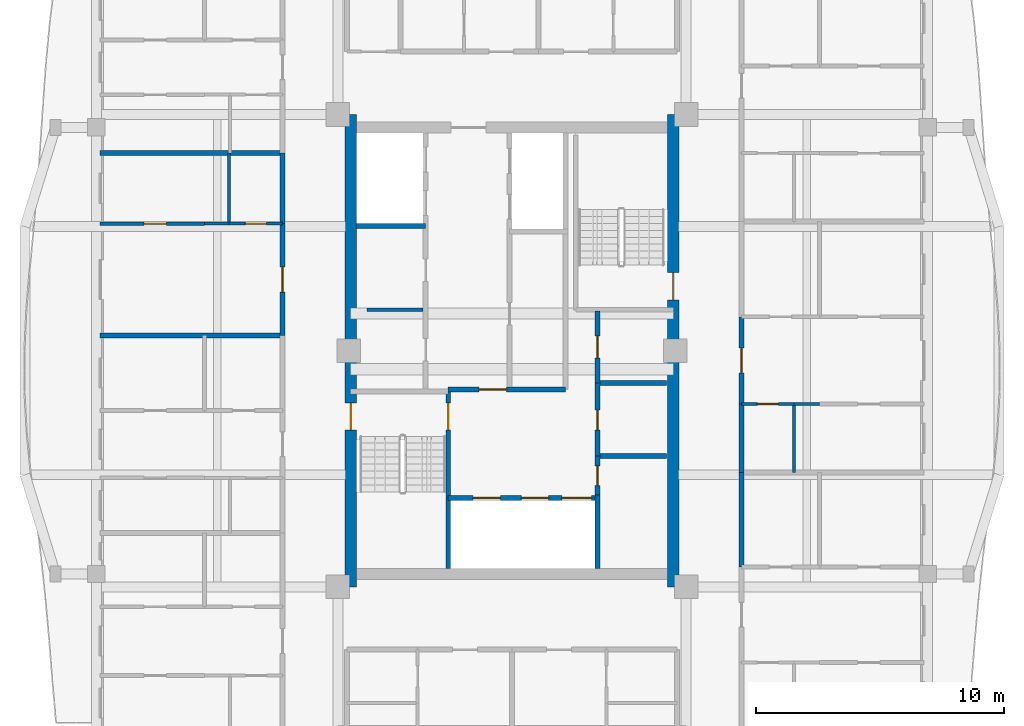
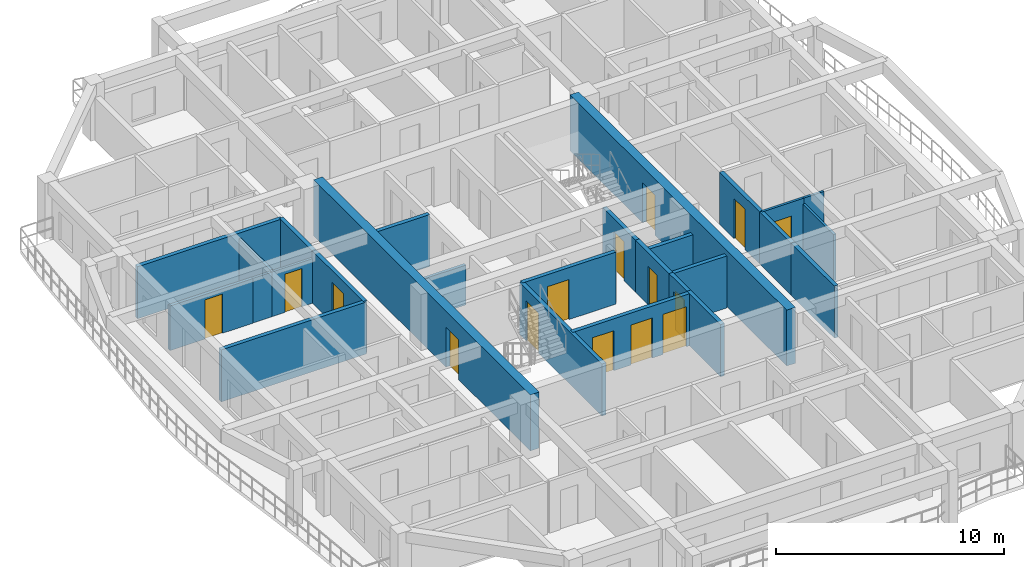
# One storey, part 4 of 14: 27 walls, 15 doors, 15 openings.
"""IFC4 building model written with IfcOpenShell, lengths in metres."""

from ifc_helpers import new_model, si_unit, direction, frame, frame_2d, origin, place, context, subcontext, project, spatial, rectangle, extrude, source, transform, mapped, material, layer, layer_set, type_object, element, fill, save


model = new_model("IFC4")

# Units and contexts
model_context = context("Model", 3, precision=1e-05, world=origin(), true_north=direction((0.0, 1.0)))
body_context = subcontext(model_context, "Body", "Model", "MODEL_VIEW")
ifc_project = project(units=[si_unit("LENGTHUNIT", "METRE"), si_unit("AREAUNIT", "SQUARE_METRE"), si_unit("VOLUMEUNIT", "CUBIC_METRE"), si_unit("PLANEANGLEUNIT", "RADIAN"), si_unit("MASSUNIT", "GRAM", prefix="KILO")], contexts=[model_context])

# Site, building, storey
site_placement = place(None, origin())
site = spatial("IfcSite", under=ifc_project, at=site_placement, CompositionType="ELEMENT")
building_placement = place(site_placement, origin())
building = spatial("IfcBuilding", under=site, at=building_placement, Name="Saelheon Loggia Tower", CompositionType="ELEMENT")
storey_placement = place(building_placement, frame((0.0, 0.0, 230.10009765625)))
storey = spatial("IfcBuildingStorey", under=building, at=storey_placement, Name="L71", CompositionType="ELEMENT", Elevation=230.10009765625)

# Wall, opening, door
ifc_material_1 = material(Name="Concrete C45/55", Category="concrete")
ifc_layer_1 = layer(ifc_material_1, 0.449951171875)
ifc_layer_set_1 = layer_set([ifc_layer_1], Name="Concrete C45/55")
wall_type_1 = type_object("IfcWallType", Name="Wall_CoreShear_450", PredefinedType="SHEAR", material=ifc_layer_set_1)
wall_1_placement = place(storey_placement, frame((31.5, 17.47998046875, 0.0), z_axis=(0.0, 0.0, 1.0), x_axis=(0.0, 1.0, 0.0)))
wall_1 = element("IfcWall", 1, at=wall_1_placement, inside=storey, type_object=wall_type_1, Name="L71 Core Shear Wall West", PredefinedType="SHEAR", context=body_context, shape_type="SweptSolid", body=[
    extrude(rectangle(XDim=19.0400390625, YDim=0.449951171875, at=frame_2d((9.52001953125, 0.0))), origin(), (0.0, 0.0, 1.0), 3.0),
])
opening_1_placement = place(wall_1_placement, frame((6.320068359375, 0.0, 0.0)))
opening_1 = element("IfcOpeningElement", 2, at=opening_1_placement, cuts=wall_1, Name="Opening D-FD2", PredefinedType="OPENING", context=body_context, shape_type="SweptSolid", body=[
    extrude(rectangle(XDim=1.10009765625, YDim=2.14990234375, at=frame_2d((0.550048828125, 1.074951171875))), frame((0.0, 0.237060546875, 0.0), z_axis=(0.0, -1.0, 0.0), x_axis=(1.0, 0.0, 0.0)), (0.0, 0.0, 1.0), 0.473876953125),
])
ifc_material_2 = material(Name="Galvanised Steel Fire Door", Category="steel")
door_type_1 = type_object("IfcDoorType", Name="Door_Fire_FD60_1100", OperationType="NOTDEFINED", PredefinedType="DOOR", material=ifc_material_2)
shared_shape_1 = source(origin(), body_context, "Body", "SweptSolid", [
    extrude(rectangle(XDim=1.10009765625, YDim=2.14990234375, at=frame_2d((0.550048828125, 1.074951171875))), frame((0.0, 0.02490234375, 0.0), z_axis=(0.0, -1.0, 0.0), x_axis=(1.0, 0.0, 0.0)), (0.0, 0.0, 1.0), 0.050048828125),
])
door_1_placement = place(opening_1_placement, origin())
door_1 = element("IfcDoor", 3, at=door_1_placement, inside=storey, type_object=door_type_1, Name="L71 Stair ST1 Corridor Door", OperationType="SINGLE_SWING_LEFT", OverallHeight=2.14990234375, OverallWidth=1.10009765625, PredefinedType="DOOR", context=body_context, shape_type="MappedRepresentation", body=[
    mapped(shared_shape_1, transform((0.0, 0.0, 0.0), scale=1.0)),
])
fill(opening_1, door_1)

wall_2_placement = place(storey_placement, frame((44.5, 17.47998046875, 0.0), z_axis=(0.0, 0.0, 1.0), x_axis=(0.0, 1.0, 0.0)))
wall_2 = element("IfcWall", 4, at=wall_2_placement, inside=storey, type_object=wall_type_1, Name="L71 Core Shear Wall East", PredefinedType="SHEAR", context=body_context, shape_type="SweptSolid", body=[
    extrude(rectangle(XDim=19.0400390625, YDim=0.449951171875, at=frame_2d((9.52001953125, 0.0))), origin(), (0.0, 0.0, 1.0), 3.0),
])
opening_2_placement = place(wall_2_placement, frame((12.670166015625, 0.0, 0.0), z_axis=(0.0, 0.0, 1.0), x_axis=(-1.0, 0.0, 0.0)))
opening_2 = element("IfcOpeningElement", 5, at=opening_2_placement, cuts=wall_2, Name="Opening D-FD2", PredefinedType="OPENING", context=body_context, shape_type="SweptSolid", body=[
    extrude(rectangle(XDim=1.10009765625, YDim=2.14990234375, at=frame_2d((0.550048828125, 1.074951171875))), frame((0.0, 0.237060546875, 0.0), z_axis=(0.0, -1.0, 0.0), x_axis=(1.0, 0.0, 0.0)), (0.0, 0.0, 1.0), 0.473876953125),
])
door_2_placement = place(opening_2_placement, origin())
door_2 = element("IfcDoor", 6, at=door_2_placement, inside=storey, type_object=door_type_1, Name="L71 Stair ST2 Corridor Door", OperationType="SINGLE_SWING_RIGHT", OverallHeight=2.14990234375, OverallWidth=1.10009765625, PredefinedType="DOOR", context=body_context, shape_type="MappedRepresentation", body=[
    mapped(shared_shape_1, transform((0.0, 0.0, 0.0), scale=1.0)),
])
fill(opening_2, door_2)

# Wall
ifc_material_3 = material(Name="Lightweight Autoclaved Aerated Concrete Block and Acoustic Gypsum", Category="concrete")
ifc_layer_2 = layer(ifc_material_3, 0.14990234375)
ifc_layer_set_2 = layer_set([ifc_layer_2], Name="Lightweight Autoclaved Aerated Concrete Block and Acoustic Gypsum")
wall_type_2 = type_object("IfcWallType", Name="Wall_Part_150", PredefinedType="PARTITIONING", material=ifc_layer_set_2)
wall_3_placement = place(storey_placement, frame((32.14990234375, 28.64990234375, 0.0), z_axis=(0.0, 0.0, 1.0), x_axis=(1.0, 0.0, 0.0)))
element("IfcWall", 7, at=wall_3_placement, inside=storey, type_object=wall_type_2, Name="L71 Freed Core Partition PL", PredefinedType="PARTITIONING", context=body_context, shape_type="SweptSolid", body=[
    extrude(rectangle(XDim=2.27001953125, YDim=0.14990234375, at=frame_2d((1.135009765625, 0.0))), origin(), (0.0, 0.0, 1.0), 2.139892578125),
])

# Wall, opening, door
wall_4_placement = place(storey_placement, frame((25.610107421875, 32.116455078125, 0.0), z_axis=(0.0, 0.0, 1.0), x_axis=(-1.0, 0.0, 0.0)))
wall_4 = element("IfcWall", 8, at=wall_4_placement, inside=storey, type_object=wall_type_2, Name="L71 W Partition U30", PredefinedType="PARTITIONING", context=body_context, shape_type="SweptSolid", body=[
    extrude(rectangle(XDim=4.210205078125, YDim=0.14990234375, at=frame_2d((2.10498046875, 0.0))), origin(), (0.0, 0.0, 1.0), 2.389892578125),
])
opening_3_placement = place(wall_4_placement, frame((1.537109375, 0.0, 0.0)))
opening_3 = element("IfcOpeningElement", 9, at=opening_3_placement, cuts=wall_4, Name="Opening D-IN2", PredefinedType="OPENING", context=body_context, shape_type="SweptSolid", body=[
    extrude(rectangle(XDim=0.89990234375, YDim=2.10009765625, at=frame_2d((0.449951171875, 1.050048828125))), frame((0.0, 0.0869140625, 0.0), z_axis=(0.0, -1.0, 0.0), x_axis=(1.0, 0.0, 0.0)), (0.0, 0.0, 1.0), 0.173828125),
])
ifc_material_4 = material(Name="Engineered Oak Flush Door", Category="timber")
door_type_2 = type_object("IfcDoorType", Name="Door_Int_900", OperationType="NOTDEFINED", PredefinedType="DOOR", material=ifc_material_4)
shared_shape_2 = source(origin(), body_context, "Body", "SweptSolid", [
    extrude(rectangle(XDim=0.89990234375, YDim=2.10009765625, at=frame_2d((0.449951171875, 1.050048828125))), frame((0.0, 0.02490234375, 0.0), z_axis=(0.0, -1.0, 0.0), x_axis=(1.0, 0.0, 0.0)), (0.0, 0.0, 1.0), 0.050048828125),
])
door_3_placement = place(opening_3_placement, origin())
door_3 = element("IfcDoor", 10, at=door_3_placement, inside=storey, type_object=door_type_2, Name="Unit U07 Kitchen Door", OperationType="SINGLE_SWING_RIGHT", OverallHeight=2.10009765625, OverallWidth=0.89990234375, PredefinedType="DOOR", context=body_context, shape_type="MappedRepresentation", body=[
    mapped(shared_shape_2, transform((0.0, 0.0, 0.0), scale=1.0)),
])
fill(opening_3, door_3)

# Wall
ifc_material_5 = material(Name="Double Acoustic Stud and Fireboard Partition", Category="gypsum")
ifc_layer_3 = layer(ifc_material_5, 0.199951171875)
ifc_layer_set_3 = layer_set([ifc_layer_3], Name="Double Acoustic Stud and Fireboard Partition")
wall_type_3 = type_object("IfcWallType", Name="Wall_Party_200", PredefinedType="PARTITIONING", material=ifc_layer_set_3)
wall_5_placement = place(storey_placement, frame((28.75, 27.61279296875, 0.0), z_axis=(0.0, 0.0, 1.0), x_axis=(-1.0, 0.0, 0.0)))
element("IfcWall", 11, at=wall_5_placement, inside=storey, type_object=wall_type_3, Name="L71 W Partition U24", PredefinedType="PARTITIONING", context=body_context, shape_type="SweptSolid", body=[
    extrude(rectangle(XDim=7.35009765625, YDim=0.199951171875, at=frame_2d((3.675048828125, 0.0))), origin(), (0.0, 0.0, 1.0), 2.789794921875),
])

# Wall, opening, door
wall_6_placement = place(storey_placement, frame((28.75, 27.61279296875, 0.0), z_axis=(0.0, 0.0, 1.0), x_axis=(0.0, 1.0, 0.0)))
wall_6 = element("IfcWall", 12, at=wall_6_placement, inside=storey, type_object=wall_type_3, Name="L71 W Partition V25", PredefinedType="PARTITIONING", context=body_context, shape_type="SweptSolid", body=[
    extrude(rectangle(XDim=4.503662109375, YDim=0.199951171875, at=frame_2d((2.251953125, 0.0))), origin(), (0.0, 0.0, 1.0), 2.789794921875),
])
opening_4_placement = place(wall_6_placement, frame((1.751708984375, 0.0, 0.0)))
opening_4 = element("IfcOpeningElement", 13, at=opening_4_placement, cuts=wall_6, Name="Opening D-FD1", PredefinedType="OPENING", context=body_context, shape_type="SweptSolid", body=[
    extrude(rectangle(XDim=1.0, YDim=2.14990234375, at=frame_2d((0.5, 1.074951171875))), frame((0.0, 0.112060546875, 0.0), z_axis=(0.0, -1.0, 0.0), x_axis=(1.0, 0.0, 0.0)), (0.0, 0.0, 1.0), 0.223876953125),
])
ifc_material_6 = material(Name="Fire-Rated Engineered Timber Entrance Door", Category="wood")
door_type_3 = type_object("IfcDoorType", Name="Door_Flat_FD30S", OperationType="NOTDEFINED", PredefinedType="DOOR", material=ifc_material_6)
shared_shape_3 = source(origin(), body_context, "Body", "SweptSolid", [
    extrude(rectangle(XDim=1.0, YDim=2.14990234375, at=frame_2d((0.5, 1.074951171875))), frame((0.0, 0.02490234375, 0.0), z_axis=(0.0, -1.0, 0.0), x_axis=(1.0, 0.0, 0.0)), (0.0, 0.0, 1.0), 0.050048828125),
])
door_4_placement = place(opening_4_placement, origin())
door_4 = element("IfcDoor", 14, at=door_4_placement, inside=storey, type_object=door_type_3, Name="Unit U07 Entrance Door", OperationType="SINGLE_SWING_RIGHT", OverallHeight=2.14990234375, OverallWidth=1.0, PredefinedType="DOOR", context=body_context, shape_type="MappedRepresentation", body=[
    mapped(shared_shape_3, transform((0.0, 0.0, 0.0), scale=1.0)),
])
fill(opening_4, door_4)

# Walls
wall_7_placement = place(storey_placement, frame((28.75, 32.116455078125, 0.0), z_axis=(0.0, 0.0, 1.0), x_axis=(0.0, 1.0, 0.0)))
element("IfcWall", 15, at=wall_7_placement, inside=storey, type_object=wall_type_3, Name="L71 W Partition V26", PredefinedType="PARTITIONING", context=body_context, shape_type="SweptSolid", body=[
    extrude(rectangle(XDim=2.849853515625, YDim=0.199951171875, at=frame_2d((1.4248046875, 0.0))), origin(), (0.0, 0.0, 1.0), 2.789794921875),
])
wall_8_placement = place(storey_placement, frame((28.75, 34.96630859375, 0.0), z_axis=(0.0, 0.0, 1.0), x_axis=(-1.0, 0.0, 0.0)))
element("IfcWall", 16, at=wall_8_placement, inside=storey, type_object=wall_type_3, Name="L71 W Partition U31", PredefinedType="PARTITIONING", context=body_context, shape_type="SweptSolid", body=[
    extrude(rectangle(XDim=7.35009765625, YDim=0.199951171875, at=frame_2d((3.675048828125, 0.0))), origin(), (0.0, 0.0, 1.0), 2.789794921875),
])
wall_9_placement = place(storey_placement, frame((47.25, 18.280029296875, 0.0), z_axis=(0.0, 0.0, 1.0), x_axis=(0.0, 1.0, 0.0)))
element("IfcWall", 17, at=wall_9_placement, inside=storey, type_object=wall_type_3, Name="L71 E Partition V05", PredefinedType="PARTITIONING", context=body_context, shape_type="SweptSolid", body=[
    extrude(rectangle(XDim=3.817626953125, YDim=0.199951171875, at=frame_2d((1.90869140625, 0.0))), origin(), (0.0, 0.0, 1.0), 2.789794921875),
])
wall_10_placement = place(storey_placement, frame((47.25, 22.09765625, 0.0), z_axis=(0.0, 0.0, 1.0), x_axis=(0.0, 1.0, 0.0)))
element("IfcWall", 18, at=wall_10_placement, inside=storey, type_object=wall_type_3, Name="L71 E Partition V14", PredefinedType="PARTITIONING", context=body_context, shape_type="SweptSolid", body=[
    extrude(rectangle(XDim=2.75, YDim=0.199951171875, at=frame_2d((1.375, 0.0))), origin(), (0.0, 0.0, 1.0), 2.789794921875),
])

# Wall, opening, door
wall_11_placement = place(storey_placement, frame((47.25, 24.84765625, 0.0), z_axis=(0.0, 0.0, 1.0), x_axis=(0.0, 1.0, 0.0)))
wall_11 = element("IfcWall", 19, at=wall_11_placement, inside=storey, type_object=wall_type_3, Name="L71 E Partition V15", PredefinedType="PARTITIONING", context=body_context, shape_type="SweptSolid", body=[
    extrude(rectangle(XDim=3.518798828125, YDim=0.199951171875, at=frame_2d((1.75927734375, 0.0))), origin(), (0.0, 0.0, 1.0), 2.789794921875),
])
opening_5_placement = place(wall_11_placement, frame((1.259521484375, 0.0, 0.0)))
opening_5 = element("IfcOpeningElement", 20, at=opening_5_placement, cuts=wall_11, Name="Opening D-FD1", PredefinedType="OPENING", context=body_context, shape_type="SweptSolid", body=[
    extrude(rectangle(XDim=1.0, YDim=2.14990234375, at=frame_2d((0.5, 1.074951171875))), frame((0.0, 0.112060546875, 0.0), z_axis=(0.0, -1.0, 0.0), x_axis=(1.0, 0.0, 0.0)), (0.0, 0.0, 1.0), 0.223876953125),
])
door_5_placement = place(opening_5_placement, origin())
door_5 = element("IfcDoor", 21, at=door_5_placement, inside=storey, type_object=door_type_3, Name="Unit U10 Entrance Door", OperationType="SINGLE_SWING_LEFT", OverallHeight=2.14990234375, OverallWidth=1.0, PredefinedType="DOOR", context=body_context, shape_type="MappedRepresentation", body=[
    mapped(shared_shape_3, transform((0.0, 0.0, 0.0), scale=1.0)),
])
fill(opening_5, door_5)

# Walls
ifc_material_7 = material(Name="Concrete C40/50", Category="concrete")
ifc_layer_4 = layer(ifc_material_7, 0.199951171875)
ifc_layer_set_4 = layer_set([ifc_layer_4], Name="Concrete C40/50")
wall_type_4 = type_object("IfcWallType", Name="Wall_Shaft_200", PredefinedType="PARTITIONING", material=ifc_layer_set_4)
wall_12_placement = place(storey_placement, frame((41.550048828125, 22.75, 0.0), z_axis=(0.0, 0.0, 1.0), x_axis=(1.0, 0.0, 0.0)))
element("IfcWall", 22, at=wall_12_placement, inside=storey, type_object=wall_type_4, Name="CW-BOH-L71-H1", PredefinedType="PARTITIONING", context=body_context, shape_type="SweptSolid", body=[
    extrude(rectangle(XDim=2.669921875, YDim=0.199951171875, at=frame_2d((1.3349609375, 0.0))), origin(), (0.0, 0.0, 1.0), 2.789794921875),
])
wall_13_placement = place(storey_placement, frame((41.550048828125, 25.699951171875, 0.0), z_axis=(0.0, 0.0, 1.0), x_axis=(1.0, 0.0, 0.0)))
element("IfcWall", 23, at=wall_13_placement, inside=storey, type_object=wall_type_4, Name="CW-BOH-L71-H2", PredefinedType="PARTITIONING", context=body_context, shape_type="SweptSolid", body=[
    extrude(rectangle(XDim=2.669921875, YDim=0.199951171875, at=frame_2d((1.3349609375, 0.0))), origin(), (0.0, 0.0, 1.0), 2.139892578125),
])
wall_14_placement = place(storey_placement, frame((41.449951171875, 18.219970703125, 0.0), z_axis=(0.0, 0.0, 1.0), x_axis=(0.0, 1.0, 0.0)))
element("IfcWall", 24, at=wall_14_placement, inside=storey, type_object=wall_type_4, Name="CW-INT-L71-BOH-W0", PredefinedType="PARTITIONING", context=body_context, shape_type="SweptSolid", body=[
    extrude(rectangle(XDim=2.9599609375, YDim=0.199951171875, at=frame_2d((1.47998046875, 0.0))), origin(), (0.0, 0.0, 1.0), 2.789794921875),
])

# Wall, opening, door
wall_15_placement = place(storey_placement, frame((41.449951171875, 21.179931640625, 0.0), z_axis=(0.0, 0.0, 1.0), x_axis=(0.0, 1.0, 0.0)))
wall_15 = element("IfcWall", 25, at=wall_15_placement, inside=storey, type_object=wall_type_4, Name="CW-INT-L71-BOH-W1", PredefinedType="PARTITIONING", context=body_context, shape_type="SweptSolid", body=[
    extrude(rectangle(XDim=1.570068359375, YDim=0.199951171875, at=frame_2d((0.78515625, 0.0))), origin(), (0.0, 0.0, 1.0), 2.789794921875),
])
opening_6_placement = place(wall_15_placement, frame((0.3798828125, 0.0, 0.0)))
opening_6 = element("IfcOpeningElement", 26, at=opening_6_placement, cuts=wall_15, Name="Opening D-ST1", PredefinedType="OPENING", context=body_context, shape_type="SweptSolid", body=[
    extrude(rectangle(XDim=0.800048828125, YDim=2.050048828125, at=frame_2d((0.39990234375, 1.02490234375))), frame((0.0, 0.112060546875, 0.0), z_axis=(0.0, -1.0, 0.0), x_axis=(1.0, 0.0, 0.0)), (0.0, 0.0, 1.0), 0.223876953125),
])
ifc_material_8 = material(Name="Powder-Coated Steel Store Door", Category="steel")
door_type_4 = type_object("IfcDoorType", Name="Door_Store_800", OperationType="NOTDEFINED", PredefinedType="DOOR", material=ifc_material_8)
shared_shape_4 = source(origin(), body_context, "Body", "SweptSolid", [
    extrude(rectangle(XDim=0.800048828125, YDim=2.050048828125, at=frame_2d((0.39990234375, 1.02490234375))), frame((0.0, 0.02490234375, 0.0), z_axis=(0.0, -1.0, 0.0), x_axis=(1.0, 0.0, 0.0)), (0.0, 0.0, 1.0), 0.050048828125),
])
door_6_placement = place(opening_6_placement, origin())
door_6 = element("IfcDoor", 27, at=door_6_placement, inside=storey, type_object=door_type_4, Name="L71 Cleaner Store Door", OperationType="SINGLE_SWING_LEFT", OverallHeight=2.050048828125, OverallWidth=0.800048828125, PredefinedType="DOOR", context=body_context, shape_type="MappedRepresentation", body=[
    mapped(shared_shape_4, transform((0.0, 0.0, 0.0), scale=1.0)),
])
fill(opening_6, door_6)

wall_16_placement = place(storey_placement, frame((41.449951171875, 22.75, 0.0), z_axis=(0.0, 0.0, 1.0), x_axis=(0.0, 1.0, 0.0)))
wall_16 = element("IfcWall", 28, at=wall_16_placement, inside=storey, type_object=wall_type_4, Name="CW-INT-L71-BOH-W2", PredefinedType="PARTITIONING", context=body_context, shape_type="SweptSolid", body=[
    extrude(rectangle(XDim=2.949951171875, YDim=0.199951171875, at=frame_2d((1.47509765625, 0.0))), origin(), (0.0, 0.0, 1.0), 2.789794921875),
])
opening_7_placement = place(wall_16_placement, frame((1.050048828125, 0.0, 0.0)))
opening_7 = element("IfcOpeningElement", 29, at=opening_7_placement, cuts=wall_16, Name="Opening D-ST1", PredefinedType="OPENING", context=body_context, shape_type="SweptSolid", body=[
    extrude(rectangle(XDim=0.800048828125, YDim=2.050048828125, at=frame_2d((0.39990234375, 1.02490234375))), frame((0.0, 0.112060546875, 0.0), z_axis=(0.0, -1.0, 0.0), x_axis=(1.0, 0.0, 0.0)), (0.0, 0.0, 1.0), 0.223876953125),
])
door_7_placement = place(opening_7_placement, origin())
door_7 = element("IfcDoor", 30, at=door_7_placement, inside=storey, type_object=door_type_4, Name="L71 Electrical Riser Door", OperationType="SINGLE_SWING_RIGHT", OverallHeight=2.050048828125, OverallWidth=0.800048828125, PredefinedType="DOOR", context=body_context, shape_type="MappedRepresentation", body=[
    mapped(shared_shape_4, transform((0.0, 0.0, 0.0), scale=1.0)),
])
fill(opening_7, door_7)

wall_17_placement = place(storey_placement, frame((41.449951171875, 25.699951171875, 0.0), z_axis=(0.0, 0.0, 1.0), x_axis=(0.0, 1.0, 0.0)))
wall_17 = element("IfcWall", 31, at=wall_17_placement, inside=storey, type_object=wall_type_4, Name="CW-INT-L71-BOH-W3", PredefinedType="PARTITIONING", context=body_context, shape_type="SweptSolid", body=[
    extrude(rectangle(XDim=2.900146484375, YDim=0.199951171875, at=frame_2d((1.4501953125, 0.0))), origin(), (0.0, 0.0, 1.0), 2.789794921875),
])
opening_8_placement = place(wall_17_placement, frame((1.0, 0.0, 0.0)))
opening_8 = element("IfcOpeningElement", 32, at=opening_8_placement, cuts=wall_17, Name="Opening D-RS1", PredefinedType="OPENING", context=body_context, shape_type="SweptSolid", body=[
    extrude(rectangle(XDim=0.89990234375, YDim=2.10009765625, at=frame_2d((0.449951171875, 1.050048828125))), frame((0.0, 0.112060546875, 0.0), z_axis=(0.0, -1.0, 0.0), x_axis=(1.0, 0.0, 0.0)), (0.0, 0.0, 1.0), 0.223876953125),
])
ifc_material_9 = material(Name="Galvanised Steel Riser Access Door", Category="steel")
door_type_5 = type_object("IfcDoorType", Name="Door_Riser_FD60", OperationType="NOTDEFINED", PredefinedType="DOOR", material=ifc_material_9)
door_8_placement = place(opening_8_placement, origin())
door_8 = element("IfcDoor", 33, at=door_8_placement, inside=storey, type_object=door_type_5, Name="L71 Floor IT Room Door", OperationType="SINGLE_SWING_LEFT", OverallHeight=2.10009765625, OverallWidth=0.89990234375, PredefinedType="DOOR", context=body_context, shape_type="MappedRepresentation", body=[
    mapped(shared_shape_2, transform((0.0, 0.0, 0.0), scale=1.0)),
])
fill(opening_8, door_8)

# Wall, openings, doors
wall_18_placement = place(storey_placement, frame((35.429931640625, 21.06005859375, 0.0), z_axis=(0.0, 0.0, 1.0), x_axis=(1.0, 0.0, 0.0)))
wall_18 = element("IfcWall", 34, at=wall_18_placement, inside=storey, type_object=wall_type_4, Name="L71 Firefighting Lift Shaft Front Wall", PredefinedType="PARTITIONING", context=body_context, shape_type="SweptSolid", body=[
    extrude(rectangle(XDim=6.02001953125, YDim=0.199951171875, at=frame_2d((3.010009765625, 0.0))), origin(), (0.0, 0.0, 1.0), 2.789794921875),
])
opening_9_placement = place(wall_18_placement, frame((1.0, 0.0, 0.0)))
opening_9 = element("IfcOpeningElement", 35, at=opening_9_placement, cuts=wall_18, Name="Opening LD2", PredefinedType="OPENING", context=body_context, shape_type="SweptSolid", body=[
    extrude(rectangle(XDim=1.10009765625, YDim=2.14990234375, at=frame_2d((0.550048828125, 1.074951171875))), frame((0.0, 0.112060546875, 0.0), z_axis=(0.0, -1.0, 0.0), x_axis=(1.0, 0.0, 0.0)), (0.0, 0.0, 1.0), 0.223876953125),
])
opening_10_placement = place(wall_18_placement, frame((2.949951171875, 0.0, 0.0)))
opening_10 = element("IfcOpeningElement", 36, at=opening_10_placement, cuts=wall_18, Name="Opening LD2", PredefinedType="OPENING", context=body_context, shape_type="SweptSolid", body=[
    extrude(rectangle(XDim=1.10009765625, YDim=2.14990234375, at=frame_2d((0.550048828125, 1.074951171875))), frame((0.0, 0.112060546875, 0.0), z_axis=(0.0, -1.0, 0.0), x_axis=(1.0, 0.0, 0.0)), (0.0, 0.0, 1.0), 0.223876953125),
])
opening_11_placement = place(wall_18_placement, frame((4.580078125, 0.0, 0.0)))
opening_11 = element("IfcOpeningElement", 37, at=opening_11_placement, cuts=wall_18, Name="Opening LD3", PredefinedType="OPENING", context=body_context, shape_type="SweptSolid", body=[
    extrude(rectangle(XDim=1.199951171875, YDim=2.14990234375, at=frame_2d((0.60009765625, 1.074951171875))), frame((0.0, 0.112060546875, 0.0), z_axis=(0.0, -1.0, 0.0), x_axis=(1.0, 0.0, 0.0)), (0.0, 0.0, 1.0), 0.223876953125),
])
ifc_material_10 = material(Name="Firefighting Stainless Steel 316 Landing Door", Category="steel")
door_type_6 = type_object("IfcDoorType", Name="Door_Lift_LD2", OperationType="DOUBLE_DOOR_SLIDING", PredefinedType="DOOR", material=ifc_material_10)
door_9_placement = place(opening_9_placement, origin())
door_9 = element("IfcDoor", 38, at=door_9_placement, inside=storey, type_object=door_type_6, Name="L71 FF1 Landing Door", OperationType="DOUBLE_DOOR_SLIDING", OverallHeight=2.14990234375, OverallWidth=1.10009765625, PredefinedType="DOOR", context=body_context, shape_type="MappedRepresentation", body=[
    mapped(shared_shape_1, transform((0.0, 0.0, 0.0), scale=1.0)),
])
fill(opening_9, door_9)
door_10_placement = place(opening_10_placement, origin())
door_10 = element("IfcDoor", 39, at=door_10_placement, inside=storey, type_object=door_type_6, Name="L71 FF2 Landing Door", OperationType="DOUBLE_DOOR_SLIDING", OverallHeight=2.14990234375, OverallWidth=1.10009765625, PredefinedType="DOOR", context=body_context, shape_type="MappedRepresentation", body=[
    mapped(shared_shape_1, transform((0.0, 0.0, 0.0), scale=1.0)),
])
fill(opening_10, door_10)
ifc_material_11 = material(Name="Stretcher Lift Stainless Steel 304 Landing Door", Category="steel")
door_type_7 = type_object("IfcDoorType", Name="Door_Lift_LD3", OperationType="DOUBLE_DOOR_SLIDING", PredefinedType="DOOR", material=ifc_material_11)
shared_shape_5 = source(origin(), body_context, "Body", "SweptSolid", [
    extrude(rectangle(XDim=1.199951171875, YDim=2.14990234375, at=frame_2d((0.60009765625, 1.074951171875))), frame((0.0, 0.02490234375, 0.0), z_axis=(0.0, -1.0, 0.0), x_axis=(1.0, 0.0, 0.0)), (0.0, 0.0, 1.0), 0.050048828125),
])
door_11_placement = place(opening_11_placement, origin())
door_11 = element("IfcDoor", 40, at=door_11_placement, inside=storey, type_object=door_type_7, Name="L71 SV1 Landing Door", OperationType="DOUBLE_DOOR_SLIDING", OverallHeight=2.14990234375, OverallWidth=1.199951171875, PredefinedType="DOOR", context=body_context, shape_type="MappedRepresentation", body=[
    mapped(shared_shape_5, transform((0.0, 0.0, 0.0), scale=1.0)),
])
fill(opening_11, door_11)

# Wall, opening, door
wall_19_placement = place(storey_placement, frame((35.429931640625, 25.43994140625, 0.0), z_axis=(0.0, 0.0, 1.0), x_axis=(1.0, 0.0, 0.0)))
wall_19 = element("IfcWall", 41, at=wall_19_placement, inside=storey, type_object=wall_type_4, Name="L71 Firefighting Lobby Compartment Wall", PredefinedType="PARTITIONING", context=body_context, shape_type="SweptSolid", body=[
    extrude(rectangle(XDim=4.719970703125, YDim=0.199951171875, at=frame_2d((2.35986328125, 0.0))), origin(), (0.0, 0.0, 1.0), 2.789794921875),
])
opening_12_placement = place(wall_19_placement, frame((1.25, 0.0, 0.0)))
opening_12 = element("IfcOpeningElement", 42, at=opening_12_placement, cuts=wall_19, Name="Opening D-FD2", PredefinedType="OPENING", context=body_context, shape_type="SweptSolid", body=[
    extrude(rectangle(XDim=1.10009765625, YDim=2.14990234375, at=frame_2d((0.550048828125, 1.074951171875))), frame((0.0, 0.112060546875, 0.0), z_axis=(0.0, -1.0, 0.0), x_axis=(1.0, 0.0, 0.0)), (0.0, 0.0, 1.0), 0.223876953125),
])
door_12_placement = place(opening_12_placement, origin())
door_12 = element("IfcDoor", 43, at=door_12_placement, inside=storey, type_object=door_type_1, Name="L71 Firefighting Lobby Door", OperationType="SINGLE_SWING_RIGHT", OverallHeight=2.14990234375, OverallWidth=1.10009765625, PredefinedType="DOOR", context=body_context, shape_type="MappedRepresentation", body=[
    mapped(shared_shape_1, transform((0.0, 0.0, 0.0), scale=1.0)),
])
fill(opening_12, door_12)

# Wall
wall_20_placement = place(storey_placement, frame((31.719970703125, 32.02001953125, 0.0), z_axis=(0.0, 0.0, 1.0), x_axis=(1.0, 0.0, 0.0)))
element("IfcWall", 44, at=wall_20_placement, inside=storey, type_object=wall_type_4, Name="L71 West High-Rise Shaft Divider", PredefinedType="PARTITIONING", context=body_context, shape_type="SweptSolid", body=[
    extrude(rectangle(XDim=2.800048828125, YDim=0.199951171875, at=frame_2d((1.39990234375, 0.0))), origin(), (0.0, 0.0, 1.0), 2.789794921875),
])

# Wall, opening, door
ifc_layer_5 = layer(ifc_material_1, 0.199951171875)
ifc_layer_set_5 = layer_set([ifc_layer_5], Name="Concrete C45/55")
wall_type_5 = type_object("IfcWallType", Name="Wall_StairShaft_RC200", PredefinedType="SOLIDWALL", material=ifc_layer_set_5)
wall_21_placement = place(storey_placement, frame((35.429931640625, 18.219970703125, 0.0), z_axis=(0.0, 0.0, 1.0), x_axis=(0.0, 1.0, 0.0)))
wall_21 = element("IfcWall", 45, at=wall_21_placement, inside=storey, type_object=wall_type_5, Name="L71 Stair ST1 Shaft Wall", PredefinedType="SOLIDWALL", context=body_context, shape_type="SweptSolid", body=[
    extrude(rectangle(XDim=7.219970703125, YDim=0.199951171875, at=frame_2d((3.60986328125, 0.0))), origin(), (0.0, 0.0, 1.0), 2.789794921875),
])
opening_13_placement = place(wall_21_placement, frame((6.68017578125, 0.0, 0.0), z_axis=(0.0, 0.0, 1.0), x_axis=(-1.0, 0.0, 0.0)))
opening_13 = element("IfcOpeningElement", 46, at=opening_13_placement, cuts=wall_21, Name="Opening D-FD2", PredefinedType="OPENING", context=body_context, shape_type="SweptSolid", body=[
    extrude(rectangle(XDim=1.10009765625, YDim=2.14990234375, at=frame_2d((0.550048828125, 1.074951171875))), frame((0.0, 0.112060546875, 0.0), z_axis=(0.0, -1.0, 0.0), x_axis=(1.0, 0.0, 0.0)), (0.0, 0.0, 1.0), 0.223876953125),
])
door_13_placement = place(opening_13_placement, origin())
door_13 = element("IfcDoor", 47, at=door_13_placement, inside=storey, type_object=door_type_1, Name="L71 Stair ST1 Lobby Door", OperationType="SINGLE_SWING_LEFT", OverallHeight=2.14990234375, OverallWidth=1.10009765625, PredefinedType="DOOR", context=body_context, shape_type="MappedRepresentation", body=[
    mapped(shared_shape_1, transform((0.0, 0.0, 0.0), scale=1.0)),
])
fill(opening_13, door_13)

ifc_material_12 = material(Name="Moisture-Resistant Cement Board Partition", Category="gypsum")
ifc_layer_6 = layer(ifc_material_12, 0.1201171875)
ifc_layer_set_6 = layer_set([ifc_layer_6], Name="Moisture-Resistant Cement Board Partition")
wall_type_6 = type_object("IfcWallType", Name="Wall_WetPart_120", PredefinedType="PARTITIONING", material=ifc_layer_set_6)
wall_22_placement = place(storey_placement, frame((28.75, 32.116455078125, 0.0), z_axis=(0.0, 0.0, 1.0), x_axis=(-1.0, 0.0, 0.0)))
wall_22 = element("IfcWall", 48, at=wall_22_placement, inside=storey, type_object=wall_type_6, Name="L71 W Partition U27", PredefinedType="PARTITIONING", context=body_context, shape_type="SweptSolid", body=[
    extrude(rectangle(XDim=2.14990234375, YDim=0.1201171875, at=frame_2d((1.074951171875, 0.0))), origin(), (0.0, 0.0, 1.0), 2.389892578125),
])
opening_14_placement = place(wall_22_placement, frame((0.64990234375, 0.0, 0.0)))
opening_14 = element("IfcOpeningElement", 49, at=opening_14_placement, cuts=wall_22, Name="Opening D-BT1", PredefinedType="OPENING", context=body_context, shape_type="SweptSolid", body=[
    extrude(rectangle(XDim=0.85009765625, YDim=2.050048828125, at=frame_2d((0.425048828125, 1.02490234375))), frame((0.0, 0.072021484375, 0.0), z_axis=(0.0, -1.0, 0.0), x_axis=(1.0, 0.0, 0.0)), (0.0, 0.0, 1.0), 0.14404296875),
])
ifc_material_13 = material(Name="Moisture-Resistant Laminate Timber Door", Category="wood")
door_type_8 = type_object("IfcDoorType", Name="Door_Bath_850", OperationType="NOTDEFINED", PredefinedType="DOOR", material=ifc_material_13)
shared_shape_6 = source(origin(), body_context, "Body", "SweptSolid", [
    extrude(rectangle(XDim=0.85009765625, YDim=2.050048828125, at=frame_2d((0.425048828125, 1.02490234375))), frame((0.0, 0.02490234375, 0.0), z_axis=(0.0, -1.0, 0.0), x_axis=(1.0, 0.0, 0.0)), (0.0, 0.0, 1.0), 0.050048828125),
])
door_14_placement = place(opening_14_placement, origin())
door_14 = element("IfcDoor", 50, at=door_14_placement, inside=storey, type_object=door_type_8, Name="Unit U07 Bathroom Door", OperationType="SINGLE_SWING_LEFT", OverallHeight=2.050048828125, OverallWidth=0.85009765625, PredefinedType="DOOR", context=body_context, shape_type="MappedRepresentation", body=[
    mapped(shared_shape_6, transform((0.0, 0.0, 0.0), scale=1.0)),
])
fill(opening_14, door_14)

# Walls
wall_23_placement = place(storey_placement, frame((26.60009765625, 32.116455078125, 0.0), z_axis=(0.0, 0.0, 1.0), x_axis=(-1.0, 0.0, 0.0)))
element("IfcWall", 51, at=wall_23_placement, inside=storey, type_object=wall_type_6, Name="L71 W Partition U28", PredefinedType="PARTITIONING", context=body_context, shape_type="SweptSolid", body=[
    extrude(rectangle(XDim=0.989990234375, YDim=0.1201171875, at=frame_2d((0.4951171875, 0.0))), origin(), (0.0, 0.0, 1.0), 2.389892578125),
])
wall_24_placement = place(storey_placement, frame((26.60009765625, 32.116455078125, 0.0), z_axis=(0.0, 0.0, 1.0), x_axis=(0.0, 1.0, 0.0)))
element("IfcWall", 52, at=wall_24_placement, inside=storey, type_object=wall_type_6, Name="L71 W Partition V29", PredefinedType="PARTITIONING", context=body_context, shape_type="SweptSolid", body=[
    extrude(rectangle(XDim=2.849853515625, YDim=0.1201171875, at=frame_2d((1.4248046875, 0.0))), origin(), (0.0, 0.0, 1.0), 2.489990234375),
])
wall_25_placement = place(storey_placement, frame((49.3701171875, 22.09765625, 0.0), z_axis=(0.0, 0.0, 1.0), x_axis=(0.0, 1.0, 0.0)))
element("IfcWall", 53, at=wall_25_placement, inside=storey, type_object=wall_type_6, Name="L71 E Partition V17", PredefinedType="PARTITIONING", context=body_context, shape_type="SweptSolid", body=[
    extrude(rectangle(XDim=2.75, YDim=0.1201171875, at=frame_2d((1.375, 0.0))), origin(), (0.0, 0.0, 1.0), 2.489990234375),
])

# Wall, opening, door
wall_26_placement = place(storey_placement, frame((47.25, 24.84765625, 0.0), z_axis=(0.0, 0.0, 1.0), x_axis=(1.0, 0.0, 0.0)))
wall_26 = element("IfcWall", 54, at=wall_26_placement, inside=storey, type_object=wall_type_6, Name="L71 E Partition U19", PredefinedType="PARTITIONING", context=body_context, shape_type="SweptSolid", body=[
    extrude(rectangle(XDim=2.1201171875, YDim=0.1201171875, at=frame_2d((1.06005859375, 0.0))), origin(), (0.0, 0.0, 1.0), 2.789794921875),
])
opening_15_placement = place(wall_26_placement, frame((0.635009765625, 0.0, 0.0)))
opening_15 = element("IfcOpeningElement", 55, at=opening_15_placement, cuts=wall_26, Name="Opening D-BT1", PredefinedType="OPENING", context=body_context, shape_type="SweptSolid", body=[
    extrude(rectangle(XDim=0.85009765625, YDim=2.050048828125, at=frame_2d((0.425048828125, 1.02490234375))), frame((0.0, 0.072021484375, 0.0), z_axis=(0.0, -1.0, 0.0), x_axis=(1.0, 0.0, 0.0)), (0.0, 0.0, 1.0), 0.14404296875),
])
door_15_placement = place(opening_15_placement, origin())
door_15 = element("IfcDoor", 56, at=door_15_placement, inside=storey, type_object=door_type_8, Name="Unit U10 Bathroom Door", OperationType="SINGLE_SWING_RIGHT", OverallHeight=2.050048828125, OverallWidth=0.85009765625, PredefinedType="DOOR", context=body_context, shape_type="MappedRepresentation", body=[
    mapped(shared_shape_6, transform((0.0, 0.0, 0.0), scale=1.0)),
])
fill(opening_15, door_15)

# Wall
wall_27_placement = place(storey_placement, frame((49.3701171875, 24.84765625, 0.0), z_axis=(0.0, 0.0, 1.0), x_axis=(1.0, 0.0, 0.0)))
element("IfcWall", 57, at=wall_27_placement, inside=storey, type_object=wall_type_6, Name="L71 E Partition U20", PredefinedType="PARTITIONING", context=body_context, shape_type="SweptSolid", body=[
    extrude(rectangle(XDim=1.019775390625, YDim=0.1201171875, at=frame_2d((0.509765625, 0.0))), origin(), (0.0, 0.0, 1.0), 2.789794921875),
])

save(model, "model.ifc")
